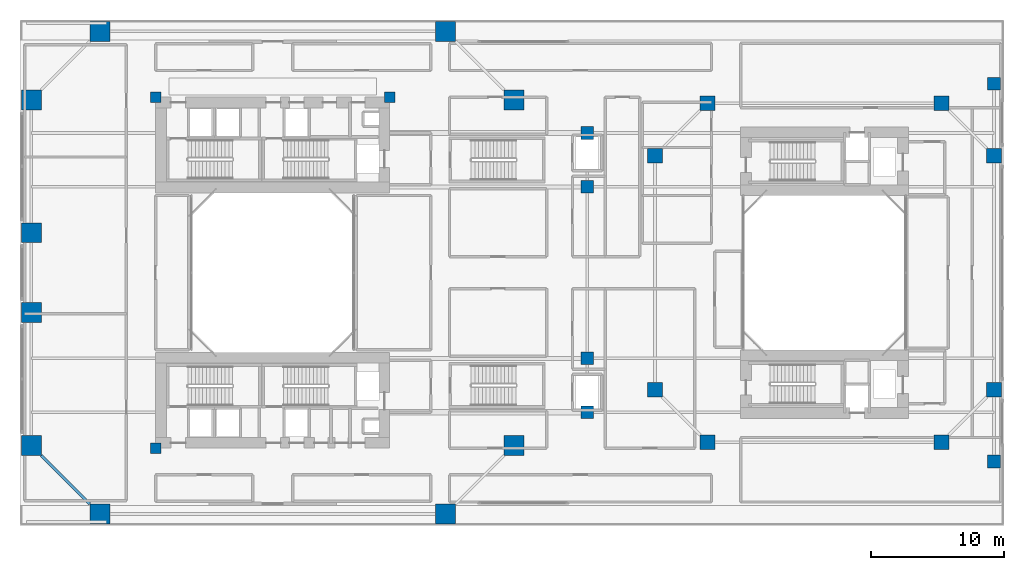
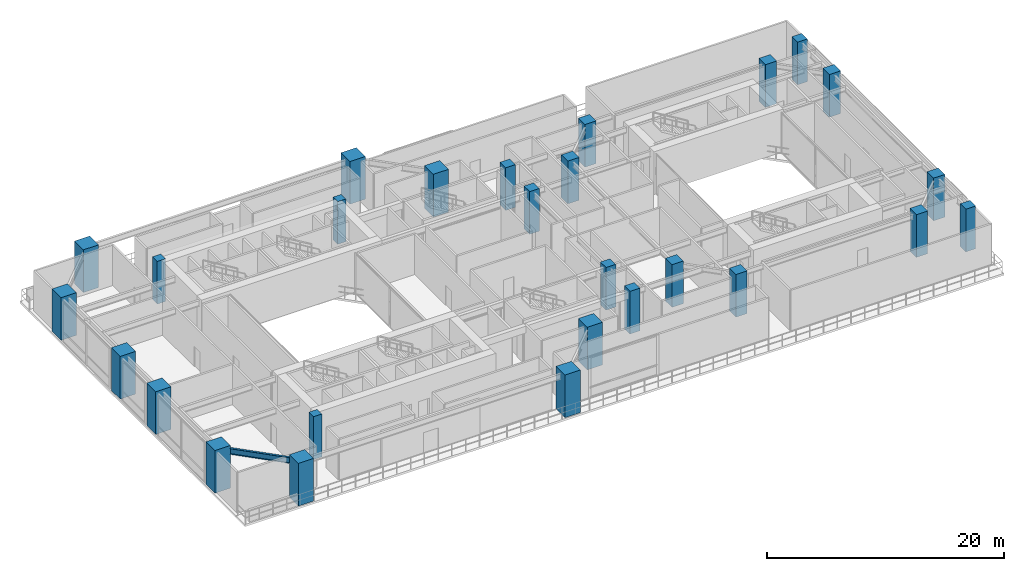
# One storey, part 1 of 20: 27 columns, 1 beam.
"""IFC4 building model written with IfcOpenShell, lengths in metres."""

from ifc_helpers import new_model, si_unit, direction, frame, origin, origin_2d, place, context, subcontext, project, spatial, rectangle, i_section, extrude, source, transform, mapped, material, material_profile, profile_set, type_object, element, save


model = new_model("IFC4")

# Units and contexts
model_context = context("Model", 3, precision=1e-05, world=origin(), true_north=direction((0.0, 1.0)))
body_context = subcontext(model_context, "Body", "Model", "MODEL_VIEW")
ifc_project = project(units=[si_unit("LENGTHUNIT", "METRE"), si_unit("AREAUNIT", "SQUARE_METRE"), si_unit("VOLUMEUNIT", "CUBIC_METRE"), si_unit("PLANEANGLEUNIT", "RADIAN"), si_unit("MASSUNIT", "GRAM", prefix="KILO"), si_unit("THERMODYNAMICTEMPERATUREUNIT", "KELVIN"), si_unit("POWERUNIT", "WATT")], contexts=[model_context])

# Site, building, storey
site_placement = place(None, origin())
site = spatial("IfcSite", under=ifc_project, at=site_placement, CompositionType="ELEMENT")
building_placement = place(site_placement, origin())
building = spatial("IfcBuilding", under=site, at=building_placement, Name="Qiaomeng Ring Towers", CompositionType="ELEMENT")
storey_placement = place(building_placement, frame((0.0, 0.0, 13.800048828125)))
storey = spatial("IfcBuildingStorey", under=building, at=storey_placement, Name="L03", CompositionType="ELEMENT", Elevation=13.800048828125)

# Columns
ifc_material_1 = material(Name="Concrete C60", Category="concrete")
ifc_material_profile_1 = material_profile(ifc_material_1, rectangle(XDim=1.5, YDim=1.5, at=origin_2d()), Name="RC COL 1500x1500")
ifc_profile_set_1 = profile_set([ifc_material_profile_1], Name="Concrete C60")
column_type_1 = type_object("IfcColumnType", Name="STR-COL-1500", PredefinedType="COLUMN", material=ifc_profile_set_1)
shared_shape_1 = source(origin(), body_context, "Body", "SweptSolid", [
    extrude(rectangle(XDim=1.5, YDim=1.5, at=origin_2d()), origin(), (0.0, 0.0, 1.0), 4.39990234375),
])
for number, where, z_axis, x_axis, name in (
    (1, (6.0, 4.85009765625, 0.0), (0.0, 0.0, 1.0), (1.0, 0.0, 0.0), "L03 column STR-COL-L03-T1-S1"),
    (2, (32.0, 4.85009765625, 0.0), (0.0, 0.0, 1.0), (1.0, 0.0, 0.0), "L03 column STR-COL-L03-T1-S2"),
    (3, (37.14990234375, 10.0, 0.0), (0.0, 0.0, 1.0), (1.0, 0.0, 0.0), "L03 column STR-COL-L03-T1-E1"),
    (4, (37.14990234375, 36.0, 0.0), (0.0, 0.0, 1.0), (1.0, 0.0, 0.0), "L03 column STR-COL-L03-T1-E4"),
    (5, (32.0, 41.14990234375, 0.0), (0.0, 0.0, 1.0), (1.0, 0.0, 0.0), "L03 column STR-COL-L03-T1-N2"),
    (6, (6.0, 41.14990234375, 0.0), (0.0, 0.0, 1.0), (1.0, 0.0, 0.0), "L03 column STR-COL-L03-T1-N1"),
    (7, (0.85009765625, 36.0, 0.0), (0.0, 0.0, 1.0), (1.0, 0.0, 0.0), "L03 column STR-COL-L03-T1-W4"),
    (8, (0.85009765625, 26.0, 0.0), (0.0, 0.0, 1.0), (1.0, 0.0, 0.0), "L03 column STR-COL-L03-T1-W3"),
    (9, (0.85009765625, 20.0, 0.0), (0.0, 0.0, 1.0), (1.0, 0.0, 0.0), "L03 column STR-COL-L03-T1-W2"),
    (10, (0.85009765625, 10.0, 0.0), (0.0, 0.0, 1.0), (1.0, 0.0, 0.0), "L03 column STR-COL-L03-T1-W1"),
):
    element("IfcColumn", number, at=place(storey_placement, frame(where, z_axis=z_axis, x_axis=x_axis)), inside=storey, type_object=column_type_1, Name=name, PredefinedType="COLUMN", context=body_context, shape_type="MappedRepresentation", body=[
        mapped(shared_shape_1, transform((0.0, 0.0, 0.0), x_axis=(1.0, 0.0, 0.0), y_axis=(0.0, 1.0, 0.0), z_axis=(0.0, 0.0, 1.0), scale=1.0)),
    ])
ifc_material_profile_2 = material_profile(ifc_material_1, rectangle(XDim=1.10009765625, YDim=1.10009765625, at=origin_2d()), Name="RC COL 1100x1100")
ifc_profile_set_2 = profile_set([ifc_material_profile_2], Name="Concrete C60")
column_type_2 = type_object("IfcColumnType", Name="STR-COL-1100-C60", PredefinedType="COLUMN", material=ifc_profile_set_2)
shared_shape_2 = source(origin(), body_context, "Body", "SweptSolid", [
    extrude(rectangle(XDim=1.10009765625, YDim=1.10009765625, at=origin_2d()), origin(), (0.0, 0.0, 1.0), 4.39990234375),
])
for number, where, z_axis, x_axis, name in (
    (11, (51.699951171875, 10.25, 0.0), (0.0, 0.0, 1.0), (1.0, 0.0, 0.0), "L03 column STR-COL-L03-T2-S1"),
    (12, (69.300048828125, 10.25, 0.0), (0.0, 0.0, 1.0), (1.0, 0.0, 0.0), "L03 column STR-COL-L03-T2-S2"),
    (13, (73.25, 14.199951171875, 0.0), (0.0, 0.0, 1.0), (1.0, 0.0, 0.0), "L03 column STR-COL-L03-T2-E1"),
    (14, (73.25, 31.800048828125, 0.0), (0.0, 0.0, 1.0), (1.0, 0.0, 0.0), "L03 column STR-COL-L03-T2-E2"),
    (15, (69.300048828125, 35.75, 0.0), (0.0, 0.0, 1.0), (1.0, 0.0, 0.0), "L03 column STR-COL-L03-T2-N2"),
    (16, (51.699951171875, 35.75, 0.0), (0.0, 0.0, 1.0), (1.0, 0.0, 0.0), "L03 column STR-COL-L03-T2-N1"),
    (17, (47.75, 14.199951171875, 0.0), (0.0, 0.0, 1.0), (1.0, 0.0, 0.0), "L03 column STR-COL-L03-T2-W1"),
    (18, (47.75, 31.800048828125, 0.0), (0.0, 0.0, 1.0), (1.0, 0.0, 0.0), "L03 column STR-COL-L03-T2-W4"),
):
    element("IfcColumn", number, at=place(storey_placement, frame(where, z_axis=z_axis, x_axis=x_axis)), inside=storey, type_object=column_type_2, Name=name, PredefinedType="COLUMN", context=body_context, shape_type="MappedRepresentation", body=[
        mapped(shared_shape_2, transform((0.0, 0.0, 0.0), x_axis=(1.0, 0.0, 0.0), y_axis=(0.0, 1.0, 0.0), z_axis=(0.0, 0.0, 1.0), scale=1.0)),
    ])
ifc_material_profile_3 = material_profile(ifc_material_1, rectangle(XDim=0.949951171875, YDim=0.949951171875, at=origin_2d()), Name="RC COL 950x950")
ifc_profile_set_3 = profile_set([ifc_material_profile_3], Name="Concrete C60")
column_type_3 = type_object("IfcColumnType", Name="STR-COL-950-C60", PredefinedType="COLUMN", material=ifc_profile_set_3)
shared_shape_3 = source(origin(), body_context, "Body", "SweptSolid", [
    extrude(rectangle(XDim=0.949951171875, YDim=0.949951171875, at=origin_2d()), origin(), (0.0, 0.0, 1.0), 4.39990234375),
])
for number, where, z_axis, x_axis, name in (
    (19, (42.64990234375, 12.5, 0.0), (0.0, 0.0, 1.0), (1.0, 0.0, 0.0), "L03 column STR-COL-L03-P1"),
    (20, (42.64990234375, 16.550048828125, 0.0), (0.0, 0.0, 1.0), (1.0, 0.0, 0.0), "L03 column STR-COL-L03-P2S"),
    (21, (42.64990234375, 29.449951171875, 0.0), (0.0, 0.0, 1.0), (1.0, 0.0, 0.0), "L03 column STR-COL-L03-P2N"),
    (22, (42.64990234375, 33.5, 0.0), (0.0, 0.0, 1.0), (1.0, 0.0, 0.0), "L03 column STR-COL-L03-P3"),
    (23, (73.25, 8.800048828125, 0.0), (0.0, 0.0, 1.0), (1.0, 0.0, 0.0), "L03 column STR-COL-L03-PES"),
    (24, (73.25, 37.199951171875, 0.0), (0.0, 0.0, 1.0), (1.0, 0.0, 0.0), "L03 column STR-COL-L03-PEN"),
):
    element("IfcColumn", number, at=place(storey_placement, frame(where, z_axis=z_axis, x_axis=x_axis)), inside=storey, type_object=column_type_3, Name=name, PredefinedType="COLUMN", context=body_context, shape_type="MappedRepresentation", body=[
        mapped(shared_shape_3, transform((0.0, 0.0, 0.0), x_axis=(1.0, 0.0, 0.0), y_axis=(0.0, 1.0, 0.0), z_axis=(0.0, 0.0, 1.0), scale=1.0)),
    ])
ifc_material_profile_4 = material_profile(ifc_material_1, rectangle(XDim=0.800048828125, YDim=0.800048828125, at=origin_2d()), Name="RC COL 800x800")
ifc_profile_set_4 = profile_set([ifc_material_profile_4], Name="Concrete C60")
column_type_4 = type_object("IfcColumnType", Name="STR-PIL-800", PredefinedType="PILASTER", material=ifc_profile_set_4)
shared_shape_4 = source(origin(), body_context, "Body", "SweptSolid", [
    extrude(rectangle(XDim=0.800048828125, YDim=0.800048828125, at=origin_2d()), origin(), (0.0, 0.0, 1.0), 4.39990234375),
])
for number, where, z_axis, x_axis, name in (
    (25, (10.199951171875, 36.199951171875, 0.0), (0.0, 0.0, 1.0), (1.0, 0.0, 0.0), "L03 column STR-PIL-L03-PL-N1"),
    (26, (10.199951171875, 9.800048828125, 0.0), (0.0, 0.0, 1.0), (1.0, 0.0, 0.0), "L03 column STR-PIL-L03-PL-S1"),
    (27, (27.800048828125, 36.199951171875, 0.0), (0.0, 0.0, 1.0), (1.0, 0.0, 0.0), "L03 column STR-PIL-L03-PL-N2"),
):
    element("IfcColumn", number, at=place(storey_placement, frame(where, z_axis=z_axis, x_axis=x_axis)), inside=storey, type_object=column_type_4, Name=name, PredefinedType="PILASTER", context=body_context, shape_type="MappedRepresentation", body=[
        mapped(shared_shape_4, transform((0.0, 0.0, 0.0), x_axis=(1.0, 0.0, 0.0), y_axis=(0.0, 1.0, 0.0), z_axis=(0.0, 0.0, 1.0), scale=1.0)),
    ])

# Beam
ifc_material_2 = material(Name="Steel Q355B", Category="steel")
ifc_material_profile_5 = material_profile(ifc_material_2, i_section(OverallWidth=0.199951171875, OverallDepth=0.60009765625, WebThickness=0.010986328125, FlangeThickness=0.01708984375, FilletRadius=0.02197265625, at=origin_2d()), Name="HN 600x200x11x17")
ifc_profile_set_5 = profile_set([ifc_material_profile_5], Name="Steel Q355B")
beam_type = type_object("IfcBeamType", Name="STR-BM-HN600", PredefinedType="BEAM", material=ifc_profile_set_5)
shared_shape_5 = source(origin(), body_context, "Body", "SweptSolid", [
    extrude(i_section(OverallWidth=0.199951171875, OverallDepth=0.60009765625, WebThickness=0.010986328125, FlangeThickness=0.01708984375, FilletRadius=0.02197265625, at=origin_2d()), origin(), (0.0, 0.0, 1.0), 5.163818359375),
])
beam_placement = place(storey_placement, frame((1.599365234375, 9.250732421875, 3.849853515625), z_axis=(0.707106781187, -0.707106781187, 0.0), x_axis=(0.707106781187, 0.707106781187, 0.0)))
element("IfcBeam", 28, at=beam_placement, inside=storey, type_object=beam_type, Name="L03 beam STR-SP-L03-T1-0", PredefinedType="BEAM", context=body_context, shape_type="MappedRepresentation", body=[
    mapped(shared_shape_5, transform((0.0, 0.0, 0.0), x_axis=(1.0, 0.0, 0.0), y_axis=(0.0, 1.0, 0.0), z_axis=(0.0, 0.0, 1.0), scale=1.0)),
])

save(model, "model.ifc")
